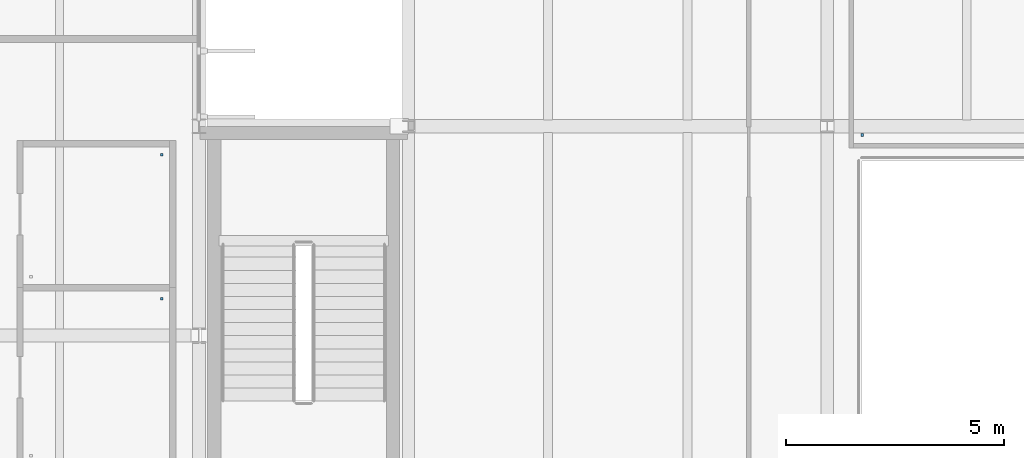
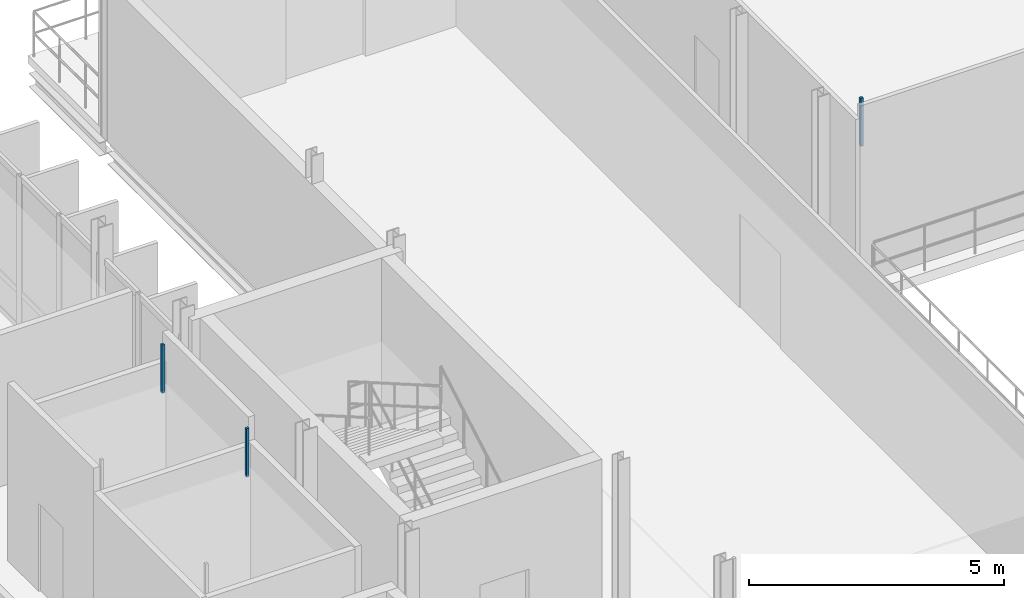
# One storey, part 62 of 93: 3 discrete accessories.
"""IFC4 building model written with IfcOpenShell, lengths in metres."""

from ifc_helpers import new_model, si_unit, direction, frame, origin, place, context, subcontext, project, spatial, polyline, outline, extrude, material, type_object, element, save


model = new_model("IFC4")

# Units and contexts
model_context = context("Model", 3, precision=1e-05, world=origin(), true_north=direction((0.0, 1.0)))
body_context = subcontext(model_context, "Body", "Model", "MODEL_VIEW")
ifc_project = project(units=[si_unit("LENGTHUNIT", "METRE"), si_unit("AREAUNIT", "SQUARE_METRE"), si_unit("VOLUMEUNIT", "CUBIC_METRE"), si_unit("PLANEANGLEUNIT", "RADIAN"), si_unit("MASSUNIT", "GRAM", prefix="KILO")], contexts=[model_context])

# Site, building, storey
site_placement = place(None, origin())
site = spatial("IfcSite", under=ifc_project, at=site_placement, CompositionType="ELEMENT")
building_placement = place(site_placement, origin())
building = spatial("IfcBuilding", under=site, at=building_placement, Name="Dunescarp Central Library", CompositionType="ELEMENT")
storey_placement = place(building_placement, frame((0.0, 0.0, 14.10009765625)))
storey = spatial("IfcBuildingStorey", under=building, at=storey_placement, Name="L03", CompositionType="ELEMENT", Elevation=14.10009765625)

# Discrete accessories
ifc_material = material(Name="Stainless steel Grade 316L", Category="steel")
discrete_accessory_type = type_object("IfcDiscreteAccessoryType", Name="ARC-ACC-BRK", PredefinedType="BRACKET", material=ifc_material)
discrete_accessory_1_placement = place(storey_placement, frame((0.0, 0.0, 3.059814453125)))
element("IfcDiscreteAccessory", 1, at=discrete_accessory_1_placement, inside=storey, type_object=discrete_accessory_type, Name="L03 ceiling hanger CLG-L03-022-H2", PredefinedType="BRACKET", context=body_context, shape_type="SweptSolid", body=[
    extrude(outline(polyline([(32.719970703125, 21.6201171875), (32.780029296875, 21.6201171875), (32.780029296875, 21.679931640625), (32.719970703125, 21.679931640625), (32.719970703125, 21.6201171875)])), origin(), (0.0, 0.0, 1.0), 1.150146484375),
])
discrete_accessory_2_placement = place(storey_placement, frame((0.0, 0.0, 3.059814453125)))
element("IfcDiscreteAccessory", 2, at=discrete_accessory_2_placement, inside=storey, type_object=discrete_accessory_type, Name="L03 ceiling hanger CLG-L03-023-H2", PredefinedType="BRACKET", context=body_context, shape_type="SweptSolid", body=[
    extrude(outline(polyline([(32.719970703125, 24.919921875), (32.780029296875, 24.919921875), (32.780029296875, 24.97998046875), (32.719970703125, 24.97998046875), (32.719970703125, 24.919921875)])), origin(), (0.0, 0.0, 1.0), 1.150146484375),
])
discrete_accessory_3_placement = place(storey_placement, frame((0.0, 0.0, 3.059814453125)))
element("IfcDiscreteAccessory", 3, at=discrete_accessory_3_placement, inside=storey, type_object=discrete_accessory_type, Name="L03 ceiling hanger CLG-L03-073-H1", PredefinedType="BRACKET", context=body_context, shape_type="SweptSolid", body=[
    extrude(outline(polyline([(48.77001953125, 25.3701171875), (48.830078125, 25.3701171875), (48.830078125, 25.429931640625), (48.77001953125, 25.429931640625), (48.77001953125, 25.3701171875)])), origin(), (0.0, 0.0, 1.0), 1.150146484375),
])

save(model, "model.ifc")
